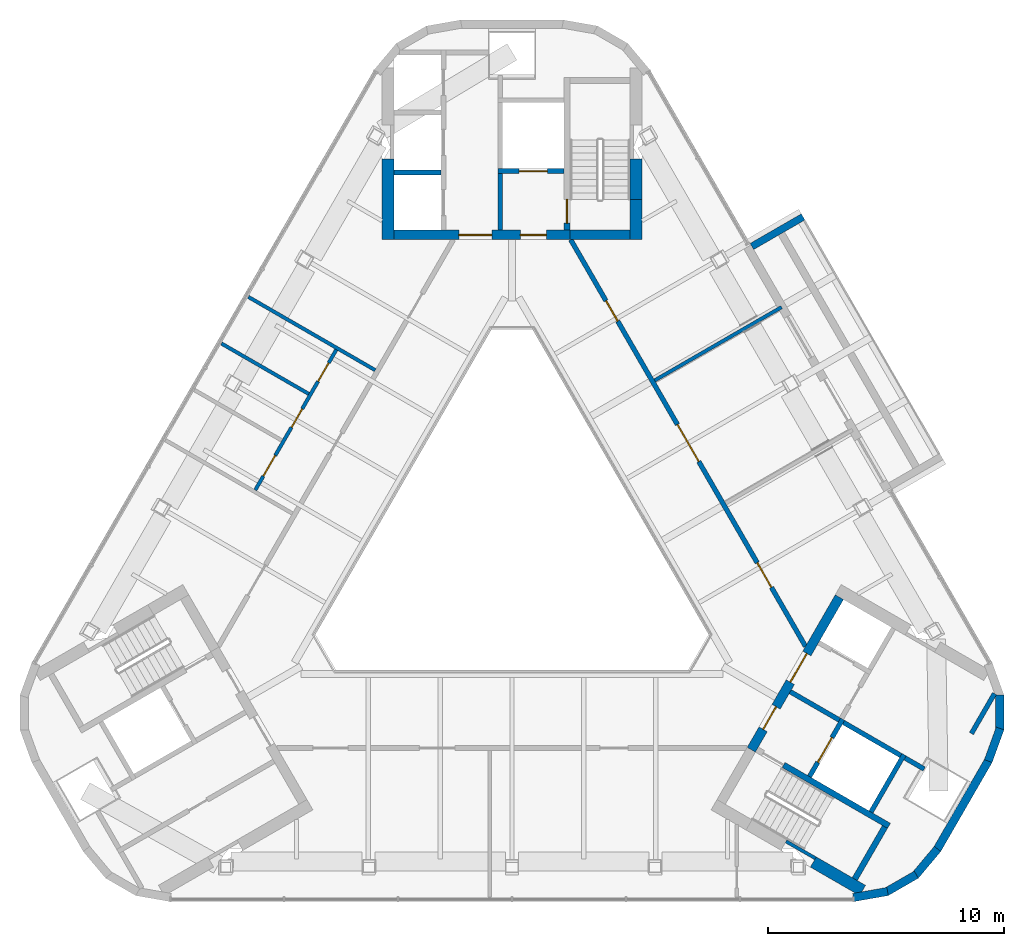
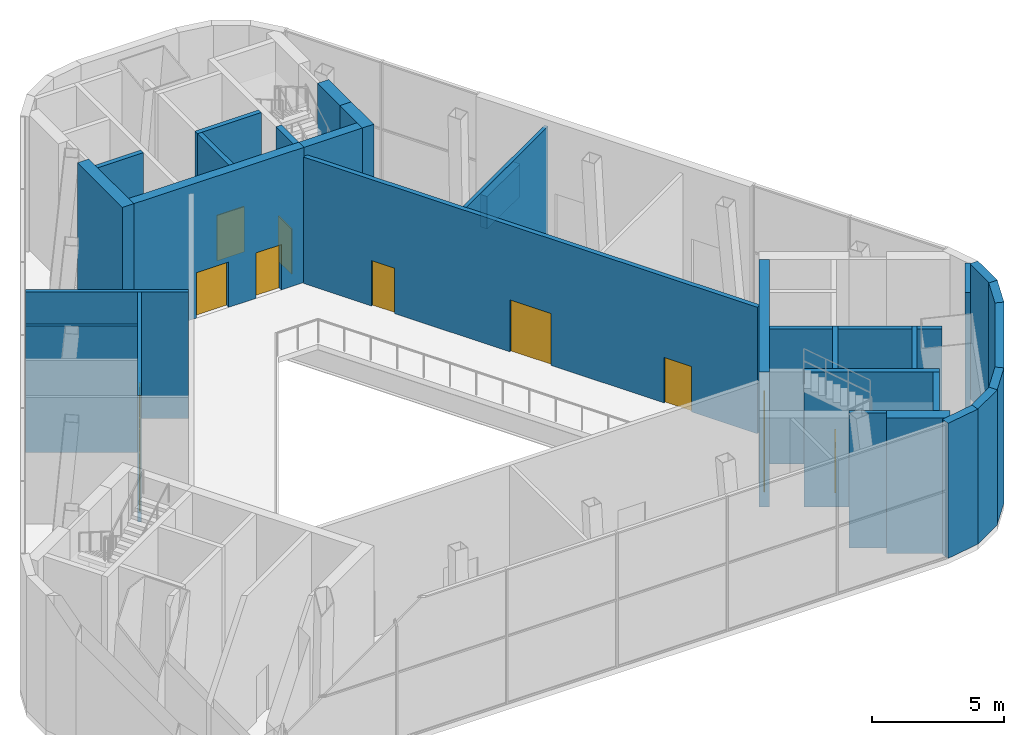
# One storey, part 8 of 12: 32 walls, 13 doors, 13 openings.
"""IFC4 building model written with IfcOpenShell, lengths in metres."""

import ifcopenshell
import ifcopenshell.guid

model = None  # the IFC model being written
_history = None  # IfcOwnerHistory: only IFC2X3 demands one
_inside = {}  # id of a spatial element -> (the spatial element, [elements in it])
_under = {}  # id of a project, library or spatial element -> (it, [spatial elements below it])
_declared = {}  # id of a project -> (the project, [libraries it declares])
_typed = {}  # id of a type object -> (the type object, [elements of that type])
_made_of = {}  # id of a material, layer set ... -> (it, [elements and type objects made of it])


def new_model(schema):
    """Start an empty IFC model of exactly this schema.

    Asked for "IFC4X3", IfcOpenShell would pick the latest addendum, in which some entities
    have other attributes; the version numbers below select the first issue.
    IFC2X3 requires an IfcOwnerHistory on every rooted entity: one is made here for all.
    """
    global model, _history
    if schema == "IFC4X3":
        model = ifcopenshell.file(schema_version=(4, 3, 0, 0))
    else:
        model = ifcopenshell.file(schema=schema)
    _inside.clear()
    _under.clear()
    _declared.clear()
    _typed.clear()
    _made_of.clear()
    _history = None
    if model.schema == "IFC2X3":
        org = make("IfcOrganization", Name="unknown")
        user = make(
            "IfcPersonAndOrganization",
            ThePerson=make("IfcPerson", FamilyName="unknown"),
            TheOrganization=org,
        )
        app = make(
            "IfcApplication",
            ApplicationDeveloper=org,
            Version="unknown",
            ApplicationFullName="unknown",
            ApplicationIdentifier="unknown",
        )
        _history = make(
            "IfcOwnerHistory",
            OwningUser=user,
            OwningApplication=app,
            ChangeAction="ADDED",
            CreationDate=0,
        )
    return model


def make(cls, **values):
    """One entity of the class cls with the attributes given. An attribute that is None is left unset."""
    return model.create_entity(
        cls, **{name: value for name, value in values.items() if value is not None}
    )


def rooted(cls, **values):
    """An entity with a GlobalId (a new one), such as an element, a storey or a relation."""
    return make(cls, GlobalId=ifcopenshell.guid.new(), OwnerHistory=_history, **values)


def si_unit(unit_type, name, prefix=None):
    """IfcSIUnit, for example si_unit("LENGTHUNIT", "METRE", prefix="MILLI")."""
    return make("IfcSIUnit", UnitType=unit_type, Prefix=prefix, Name=name)


def assignment(units):
    """IfcUnitAssignment: the units of a project."""
    return None if units is None else make("IfcUnitAssignment", Units=units)


def point(xyz):
    """IfcCartesianPoint."""
    return None if xyz is None else make("IfcCartesianPoint", Coordinates=xyz)


def direction(xyz):
    """IfcDirection."""
    return None if xyz is None else make("IfcDirection", DirectionRatios=xyz)


def frame(location, z_axis=None, x_axis=None):
    """IfcAxis2Placement3D, a coordinate frame: its origin and axes. An axis left out is left unset."""
    return make(
        "IfcAxis2Placement3D",
        Location=point(location),
        Axis=direction(z_axis),
        RefDirection=direction(x_axis),
    )


def frame_2d(location, x_axis=None):
    """IfcAxis2Placement2D, a coordinate frame in the plane: its origin and x axis."""
    return make(
        "IfcAxis2Placement2D", Location=point(location), RefDirection=direction(x_axis)
    )


def origin():
    """The frame at (0, 0, 0) with its axes left unset."""
    return frame((0.0, 0.0, 0.0))


def place(relative_to, where):
    """IfcLocalPlacement: puts the frame where relative to a parent placement (None: the world)."""
    return make(
        "IfcLocalPlacement", PlacementRelTo=relative_to, RelativePlacement=where
    )


def context(
    kind, dimensions, precision=None, world=None, true_north=None, identifier=None
):
    """IfcGeometricRepresentationContext, for example the 3D "Model" context."""
    return make(
        "IfcGeometricRepresentationContext",
        ContextIdentifier=identifier,
        ContextType=kind,
        CoordinateSpaceDimension=dimensions,
        Precision=precision,
        WorldCoordinateSystem=world,
        TrueNorth=true_north,
    )


def subcontext(parent, identifier, kind, view, scale=None):
    """IfcGeometricRepresentationSubContext, for example "Body" below "Model"."""
    return make(
        "IfcGeometricRepresentationSubContext",
        ContextIdentifier=identifier,
        ContextType=kind,
        ParentContext=parent,
        TargetScale=scale,
        TargetView=view,
    )


def project(units=None, contexts=None):
    """IfcProject with its units and contexts."""
    return rooted(
        "IfcProject",
        Name="project",
        RepresentationContexts=contexts,
        UnitsInContext=assignment(units),
    )


def spatial(cls, under=None, at=None, **own):
    """A site, building, storey or space (cls), placed at a placement, below another one or the project."""
    s = rooted(cls, ObjectPlacement=at, **own)
    if under is not None:
        _under.setdefault(under.id(), (under, []))[1].append(s)
    return s


def profile(cls, at=None, kind="AREA", **sizes):
    """A parametric profile (cls). Its sizes go by their IFC names, for example OverallWidth=200.0."""
    return make(cls, ProfileType=kind, Position=at, **sizes)


def rectangle(**sizes):
    """IfcRectangleProfileDef."""
    return profile("IfcRectangleProfileDef", **sizes)


def extrude(swept, where, along, depth):
    """IfcExtrudedAreaSolid: the profile swept, set in the frame where, extruded along a direction by depth."""
    return make(
        "IfcExtrudedAreaSolid",
        SweptArea=swept,
        Position=where,
        ExtrudedDirection=direction(along),
        Depth=depth,
    )


def shape(context_of_items, identifier, shape_type, items):
    """IfcShapeRepresentation: the items that make up one representation, for example the "Body"."""
    return make(
        "IfcShapeRepresentation",
        ContextOfItems=context_of_items,
        RepresentationIdentifier=identifier,
        RepresentationType=shape_type,
        Items=items,
    )


def material(Name=None, Category=None):
    """IfcMaterial."""
    return make("IfcMaterial", Name=Name, Category=Category)


def layer(
    of_material, thickness, ventilated=None, Name=None, Category=None, Priority=None
):
    """IfcMaterialLayer: one layer of a wall or slab, of a material (None: an air gap)."""
    return make(
        "IfcMaterialLayer",
        Material=of_material,
        LayerThickness=thickness,
        IsVentilated=ventilated,
        Name=Name,
        Category=Category,
        Priority=Priority,
    )


def layer_set(layers, Name=None):
    """IfcMaterialLayerSet."""
    return make("IfcMaterialLayerSet", MaterialLayers=layers, LayerSetName=Name)


def made_of(thing, what):
    """Note that an element or type object is made of a material, layer set ...; save() writes the relation."""
    if what is not None:
        _made_of.setdefault(what.id(), (what, []))[1].append(thing)
    return thing


def type_object(cls, material=None, **own):
    """A type object (cls), such as IfcWallType, which elements share."""
    return made_of(rooted(cls, **own), material)


def element(
    cls,
    number,
    at=None,
    inside=None,
    cuts=None,
    type_object=None,
    material=None,
    context=None,
    identifier="Body",
    shape_type=None,
    held_by="IfcProductDefinitionShape",
    body=None,
    shapes=None,
    **own,
):
    """One element of the class cls, such as IfcWall. Its Tag is "e" and its number.

    at: its placement. inside: the storey or other place that contains it. cuts: it is an
    opening in that element (IfcRelVoidsElement). A single representation is given by context,
    identifier, shape_type and body (its items); several are given by shapes. held_by: the class
    of the entity that holds the representations. save() writes the other relations.
    """
    e = rooted(cls, Tag="e%d" % number, ObjectPlacement=at, **own)
    if body is not None:
        shapes = [shape(context, identifier, shape_type, body)]
    if shapes is not None:
        e.Representation = make(held_by, Representations=shapes)
    if inside is not None:
        _inside.setdefault(inside.id(), (inside, []))[1].append(e)
    if cuts is not None:
        rooted(
            "IfcRelVoidsElement", RelatingBuildingElement=cuts, RelatedOpeningElement=e
        )
    if type_object is not None:
        _typed.setdefault(type_object.id(), (type_object, []))[1].append(e)
    return made_of(e, material)


def fill(opening, filler):
    """IfcRelFillsElement: the door or window that sits in an opening."""
    return rooted(
        "IfcRelFillsElement",
        RelatingOpeningElement=opening,
        RelatedBuildingElement=filler,
    )


def aggregate(whole, parts):
    """IfcRelAggregates: a whole, such as a stair, and the parts it consists of."""
    return rooted("IfcRelAggregates", RelatingObject=whole, RelatedObjects=parts)


def save(model, path):
    """Write the relations noted so far, then the file.

    IfcRelAggregates (storeys below a building ...), IfcRelContainedInSpatialStructure (elements
    in a storey), IfcRelDefinesByType, IfcRelAssociatesMaterial and IfcRelDeclares: one each for
    every whole, place, type object, material and project.
    """
    for whole, parts in _under.values():
        aggregate(whole, parts)
    for where, things in _inside.values():
        rooted(
            "IfcRelContainedInSpatialStructure",
            RelatedElements=things,
            RelatingStructure=where,
        )
    for kind, things in _typed.values():
        rooted("IfcRelDefinesByType", RelatedObjects=things, RelatingType=kind)
    for what, things in _made_of.values():
        rooted("IfcRelAssociatesMaterial", RelatedObjects=things, RelatingMaterial=what)
    for by, libraries in _declared.values():
        rooted("IfcRelDeclares", RelatingContext=by, RelatedDefinitions=libraries)
    model.write(path)


model = new_model("IFC4")

# Units and contexts
model_context = context("Model", 3, precision=1e-05, world=origin(), true_north=direction((0.0, 1.0)))
body_context = subcontext(model_context, "Body", "Model", "MODEL_VIEW")
ifc_project = project(units=[si_unit("LENGTHUNIT", "METRE"), si_unit("AREAUNIT", "SQUARE_METRE"), si_unit("VOLUMEUNIT", "CUBIC_METRE"), si_unit("PLANEANGLEUNIT", "RADIAN"), si_unit("MASSUNIT", "GRAM", prefix="KILO")], contexts=[model_context])

# Site, building, storey
site_placement = place(None, origin())
site = spatial("IfcSite", under=ifc_project, at=site_placement, CompositionType="ELEMENT")
building_placement = place(site_placement, origin())
building = spatial("IfcBuilding", under=site, at=building_placement, Name="Apuvela Tower Hotel", CompositionType="ELEMENT")
storey_placement = place(building_placement, frame((0.0, 0.0, 331.800048828125)))
storey = spatial("IfcBuildingStorey", under=building, at=storey_placement, Name="L83", CompositionType="ELEMENT", Elevation=331.800048828125)

# Walls
ifc_material_1 = material(Name="Concrete C50/60", Category="concrete")
ifc_layer_1 = layer(ifc_material_1, 0.139892578125)
ifc_layer_set_1 = layer_set([ifc_layer_1], Name="COR-WALL-CORE-140")
wall_type_1 = type_object("IfcWallType", Name="COR-WALL-CORE-140", PredefinedType="SHEAR", material=ifc_layer_set_1)
wall_1_placement = place(storey_placement, frame((11.59033203125, -12.546142578125, 0.0), z_axis=(0.0, 0.0, 1.0), x_axis=(0.866077922096, -0.499909024581, 0.0)))
element("IfcWall", 1, at=wall_1_placement, inside=storey, type_object=wall_type_1, Name="Core wall SE", PredefinedType="SHEAR", context=body_context, shape_type="SweptSolid", body=[
    extrude(rectangle(XDim=1.434814453125, YDim=0.139892578125, at=frame_2d((0.71728515625, 0.0))), origin(), (0.0, 0.0, 1.0), 6.25),
])
ifc_layer_2 = layer(ifc_material_1, 0.39990234375)
ifc_layer_set_2 = layer_set([ifc_layer_2], Name="COR-WALL-CORE-400")
wall_type_2 = type_object("IfcWallType", Name="COR-WALL-CORE-400", PredefinedType="SHEAR", material=ifc_layer_set_2)
wall_2_placement = place(storey_placement, frame((5.0, 13.10009765625, 0.0), z_axis=(0.0, 0.0, 1.0), x_axis=(-1.0, 0.0, 0.0)))
element("IfcWall", 2, at=wall_2_placement, inside=storey, type_object=wall_type_2, Name="Core wall N", PredefinedType="SHEAR", context=body_context, shape_type="SweptSolid", body=[
    extrude(rectangle(XDim=2.550048828125, YDim=0.39990234375, at=frame_2d((1.27490234375, 0.0))), origin(), (0.0, 0.0, 1.0), 6.25),
])

# Wall, openings, doors
wall_3_placement = place(storey_placement, frame((2.449951171875, 13.10009765625, 0.0), z_axis=(0.0, 0.0, 1.0), x_axis=(-1.0, 0.0, 0.0)))
wall_3 = element("IfcWall", 3, at=wall_3_placement, inside=storey, type_object=wall_type_2, Name="Core wall N", PredefinedType="SHEAR", context=body_context, shape_type="SweptSolid", body=[
    extrude(rectangle(XDim=7.449951171875, YDim=0.39990234375, at=frame_2d((3.72509765625, 0.0))), origin(), (0.0, 0.0, 1.0), 6.25),
])
opening_1_placement = place(wall_3_placement, frame((1.0, 0.0, 0.0)))
opening_1 = element("IfcOpeningElement", 4, at=opening_1_placement, cuts=wall_3, Name="Opening N-FD", PredefinedType="OPENING", context=body_context, shape_type="SweptSolid", body=[
    extrude(rectangle(XDim=1.10009765625, YDim=2.10009765625, at=frame_2d((0.550048828125, 1.050048828125))), frame((0.0, 0.2099609375, 0.0), z_axis=(0.0, -1.0, 0.0), x_axis=(1.0, 0.0, 0.0)), (0.0, 0.0, 1.0), 0.419921875),
])
opening_2_placement = place(wall_3_placement, frame((3.300048828125, 0.0, 0.0)))
opening_2 = element("IfcOpeningElement", 5, at=opening_2_placement, cuts=wall_3, Name="Opening N-GD", PredefinedType="OPENING", context=body_context, shape_type="SweptSolid", body=[
    extrude(rectangle(XDim=1.39990234375, YDim=2.10009765625, at=frame_2d((0.699951171875, 1.050048828125))), frame((0.0, 0.2099609375, 0.0), z_axis=(0.0, -1.0, 0.0), x_axis=(1.0, 0.0, 0.0)), (0.0, 0.0, 1.0), 0.419921875),
])
ifc_material_2 = material(Name="Steel fire door, powder coated", Category="steel")
door_type_1 = type_object("IfcDoorType", Name="COR-FD-1100", OperationType="NOTDEFINED", PredefinedType="DOOR", material=ifc_material_2)
door_1_placement = place(opening_1_placement, frame((1.10009765625, 0.0, 0.0), z_axis=(0.0, 0.0, 1.0), x_axis=(-1.0, 0.0, 0.0)))
door_1 = element("IfcDoor", 6, at=door_1_placement, inside=storey, type_object=door_type_1, Name="Firefighting lobby door N-FD", OperationType="SINGLE_SWING_LEFT", OverallHeight=2.10009765625, OverallWidth=1.10009765625, PredefinedType="DOOR", context=body_context, shape_type="SweptSolid", body=[
    extrude(rectangle(XDim=1.10009765625, YDim=2.10009765625, at=frame_2d((0.550048828125, 1.050048828125))), frame((0.0, 0.02490234375, 0.0), z_axis=(0.0, -1.0, 0.0), x_axis=(1.0, 0.0, 0.0)), (0.0, 0.0, 1.0), 0.050048828125),
])
fill(opening_1, door_1)
ifc_material_3 = material(Name="Glazed steel fire door", Category="steel")
door_type_2 = type_object("IfcDoorType", Name="COR-GD-1400", OperationType="DOUBLE_DOOR_SINGLE_SWING", PredefinedType="DOOR", material=ifc_material_3)
door_2_placement = place(opening_2_placement, frame((1.39990234375, 0.0, 0.0), z_axis=(0.0, 0.0, 1.0), x_axis=(-1.0, 0.0, 0.0)))
door_2 = element("IfcDoor", 7, at=door_2_placement, inside=storey, type_object=door_type_2, Name="Lift lobby door N-GD", OperationType="DOUBLE_DOOR_SINGLE_SWING", OverallHeight=2.10009765625, OverallWidth=1.39990234375, PredefinedType="DOOR", context=body_context, shape_type="SweptSolid", body=[
    extrude(rectangle(XDim=1.39990234375, YDim=2.10009765625, at=frame_2d((0.699951171875, 1.050048828125))), frame((0.0, 0.02490234375, 0.0), z_axis=(0.0, -1.0, 0.0), x_axis=(1.0, 0.0, 0.0)), (0.0, 0.0, 1.0), 0.050048828125),
])
fill(opening_2, door_2)

wall_4_placement = place(storey_placement, frame((10.119873046875, -8.671875, 0.0), z_axis=(0.0, 0.0, 1.0), x_axis=(0.500008956979, 0.866020232408, 0.0)))
wall_4 = element("IfcWall", 8, at=wall_4_placement, inside=storey, type_object=wall_type_2, Name="Core wall SE", PredefinedType="SHEAR", context=body_context, shape_type="SweptSolid", body=[
    extrude(rectangle(XDim=7.449951171875, YDim=0.39990234375, at=frame_2d((3.72509765625, 0.0))), origin(), (0.0, 0.0, 1.0), 6.25),
])
opening_3_placement = place(wall_4_placement, frame((1.0, 0.0, 0.0)))
opening_3 = element("IfcOpeningElement", 9, at=opening_3_placement, cuts=wall_4, Name="Opening E-FD", PredefinedType="OPENING", context=body_context, shape_type="SweptSolid", body=[
    extrude(rectangle(XDim=1.10009765625, YDim=2.10009765625, at=frame_2d((0.550048828125, 1.050048828125))), frame((0.0, 0.2099609375, 0.0), z_axis=(0.0, -1.0, 0.0), x_axis=(1.0, 0.0, 0.0)), (0.0, 0.0, 1.0), 0.419921875),
])
opening_4_placement = place(wall_4_placement, frame((3.300048828125, 0.0, 0.0)))
opening_4 = element("IfcOpeningElement", 10, at=opening_4_placement, cuts=wall_4, Name="Opening E-GD", PredefinedType="OPENING", context=body_context, shape_type="SweptSolid", body=[
    extrude(rectangle(XDim=1.39990234375, YDim=2.10009765625, at=frame_2d((0.699951171875, 1.050048828125))), frame((0.0, 0.2099609375, 0.0), z_axis=(0.0, -1.0, 0.0), x_axis=(1.0, 0.0, 0.0)), (0.0, 0.0, 1.0), 0.419921875),
])
door_3_placement = place(opening_3_placement, frame((1.10009765625, 0.0, 0.0), z_axis=(0.0, 0.0, 1.0), x_axis=(-1.0, 0.0, 0.0)))
door_3 = element("IfcDoor", 11, at=door_3_placement, inside=storey, type_object=door_type_1, Name="Firefighting lobby door E-FD", OperationType="SINGLE_SWING_LEFT", OverallHeight=2.10009765625, OverallWidth=1.10009765625, PredefinedType="DOOR", context=body_context, shape_type="SweptSolid", body=[
    extrude(rectangle(XDim=1.10009765625, YDim=2.10009765625, at=frame_2d((0.550048828125, 1.050048828125))), frame((0.0, 0.02490234375, 0.0), z_axis=(0.0, -1.0, 0.0), x_axis=(1.0, 0.0, 0.0)), (0.0, 0.0, 1.0), 0.050048828125),
])
fill(opening_3, door_3)
door_4_placement = place(opening_4_placement, frame((1.39990234375, 0.0, 0.0), z_axis=(0.0, 0.0, 1.0), x_axis=(-1.0, 0.0, 0.0)))
door_4 = element("IfcDoor", 12, at=door_4_placement, inside=storey, type_object=door_type_2, Name="Lift lobby door E-GD", OperationType="DOUBLE_DOOR_SINGLE_SWING", OverallHeight=2.10009765625, OverallWidth=1.39990234375, PredefinedType="DOOR", context=body_context, shape_type="SweptSolid", body=[
    extrude(rectangle(XDim=1.39990234375, YDim=2.10009765625, at=frame_2d((0.699951171875, 1.050048828125))), frame((0.0, 0.02490234375, 0.0), z_axis=(0.0, -1.0, 0.0), x_axis=(1.0, 0.0, 0.0)), (0.0, 0.0, 1.0), 0.050048828125),
])
fill(opening_4, door_4)

# Walls
ifc_layer_3 = layer(ifc_material_1, 0.5)
ifc_layer_set_3 = layer_set([ifc_layer_3], Name="COR-WALL-CORE-500")
wall_type_3 = type_object("IfcWallType", Name="COR-WALL-CORE-500", PredefinedType="SHEAR", material=ifc_layer_set_3)
wall_5_placement = place(storey_placement, frame((-5.25, 12.89990234375, 0.0), z_axis=(0.0, 0.0, 1.0), x_axis=(0.0, 1.0, 0.0)))
element("IfcWall", 13, at=wall_5_placement, inside=storey, type_object=wall_type_3, Name="Core wall N", PredefinedType="SHEAR", context=body_context, shape_type="SweptSolid", body=[
    extrude(rectangle(XDim=3.410888671875, YDim=0.5, at=frame_2d((1.70556640625, 0.0))), origin(), (0.0, 0.0, 1.0), 6.25),
])
wall_6_placement = place(storey_placement, frame((5.25, 12.89990234375, 0.0), z_axis=(0.0, 0.0, 1.0), x_axis=(0.0, 1.0, 0.0)))
element("IfcWall", 14, at=wall_6_placement, inside=storey, type_object=wall_type_3, Name="Core wall N", PredefinedType="SHEAR", context=body_context, shape_type="SweptSolid", body=[
    extrude(rectangle(XDim=1.7060546875, YDim=0.5, at=frame_2d((0.85302734375, 0.0))), origin(), (0.0, 0.0, 1.0), 6.25),
])
wall_7_placement = place(storey_placement, frame((5.25, 14.60595703125, 0.0), z_axis=(0.0, 0.0, 1.0), x_axis=(0.0, 1.0, 0.0)))
element("IfcWall", 15, at=wall_7_placement, inside=storey, type_object=wall_type_3, Name="Core wall N", PredefinedType="SHEAR", context=body_context, shape_type="SweptSolid", body=[
    extrude(rectangle(XDim=1.704833984375, YDim=0.5, at=frame_2d((0.8525390625, 0.0))), origin(), (0.0, 0.0, 1.0), 6.25),
])
wall_8_placement = place(storey_placement, frame((12.742919921875, -13.41943359375, 0.0), z_axis=(0.0, 0.0, 1.0), x_axis=(0.866055480043, -0.499947902773, 0.0)))
element("IfcWall", 16, at=wall_8_placement, inside=storey, type_object=wall_type_3, Name="Core wall SE", PredefinedType="SHEAR", context=body_context, shape_type="SweptSolid", body=[
    extrude(rectangle(XDim=2.406005859375, YDim=0.5, at=frame_2d((1.203125, 0.0))), origin(), (0.0, 0.0, 1.0), 6.25),
])

# Wall, opening, door
ifc_layer_4 = layer(ifc_material_1, 0.199951171875)
ifc_layer_set_4 = layer_set([ifc_layer_4], Name="COR-WALL-SHAFT-200")
wall_type_4 = type_object("IfcWallType", Name="COR-WALL-SHAFT-200", PredefinedType="SHEAR", material=ifc_layer_set_4)
wall_9_placement = place(storey_placement, frame((2.199951171875, 15.800048828125, 0.0), z_axis=(0.0, 0.0, 1.0), x_axis=(-1.0, 0.0, 0.0)))
wall_9 = element("IfcWall", 17, at=wall_9_placement, inside=storey, type_object=wall_type_4, Name="Shaft wall N", PredefinedType="SHEAR", context=body_context, shape_type="SweptSolid", body=[
    extrude(rectangle(XDim=2.800048828125, YDim=0.199951171875, at=frame_2d((1.39990234375, 0.0))), origin(), (0.0, 0.0, 1.0), 6.25),
])
opening_5_placement = place(wall_9_placement, frame((0.699951171875, 0.0, 0.0)))
opening_5 = element("IfcOpeningElement", 18, at=opening_5_placement, cuts=wall_9, Name="Opening N-LD-FS1", PredefinedType="OPENING", context=body_context, shape_type="SweptSolid", body=[
    extrude(rectangle(XDim=1.199951171875, YDim=2.10009765625, at=frame_2d((0.60009765625, 1.050048828125))), frame((0.0, 0.10986328125, 0.0), z_axis=(0.0, -1.0, 0.0), x_axis=(1.0, 0.0, 0.0)), (0.0, 0.0, 1.0), 0.219970703125),
])
ifc_material_4 = material(Name="Stainless steel lift landing door", Category="steel")
door_type_3 = type_object("IfcDoorType", Name="COR-LD-1200", OperationType="DOUBLE_DOOR_SLIDING", PredefinedType="DOOR", material=ifc_material_4)
door_5_placement = place(opening_5_placement, origin())
door_5 = element("IfcDoor", 19, at=door_5_placement, inside=storey, type_object=door_type_3, Name="Lift landing door N-LD-FS1", OperationType="DOUBLE_DOOR_SLIDING", OverallHeight=2.10009765625, OverallWidth=1.199951171875, PredefinedType="DOOR", context=body_context, shape_type="SweptSolid", body=[
    extrude(rectangle(XDim=1.199951171875, YDim=2.10009765625, at=frame_2d((0.60009765625, 1.050048828125))), frame((0.0, 0.02490234375, 0.0), z_axis=(0.0, -1.0, 0.0), x_axis=(1.0, 0.0, 0.0)), (0.0, 0.0, 1.0), 0.050048828125),
])
fill(opening_5, door_5)

# Walls
wall_10_placement = place(storey_placement, frame((-0.5, 13.300048828125, 0.0), z_axis=(0.0, 0.0, 1.0), x_axis=(0.0, 1.0, 0.0)))
element("IfcWall", 20, at=wall_10_placement, inside=storey, type_object=wall_type_4, Name="Shaft wall N", PredefinedType="SHEAR", context=body_context, shape_type="SweptSolid", body=[
    extrude(rectangle(XDim=2.39990234375, YDim=0.199951171875, at=frame_2d((1.199951171875, 0.0))), origin(), (0.0, 0.0, 1.0), 6.25),
])
wall_11_placement = place(storey_placement, frame((-3.0, 15.739990234375, 0.0), z_axis=(0.0, 0.0, 1.0), x_axis=(-1.0, 0.0, 0.0)))
element("IfcWall", 21, at=wall_11_placement, inside=storey, type_object=wall_type_4, Name="Shaft wall N", PredefinedType="SHEAR", context=body_context, shape_type="SweptSolid", body=[
    extrude(rectangle(XDim=2.0, YDim=0.199951171875, at=frame_2d((1.0, 0.0))), origin(), (0.0, 0.0, 1.0), 6.25),
])
wall_12_placement = place(storey_placement, frame((15.181396484375, -11.305419921875, 0.0), z_axis=(0.0, 0.0, 1.0), x_axis=(0.49994636267, 0.866056369097, 0.0)))
element("IfcWall", 22, at=wall_12_placement, inside=storey, type_object=wall_type_4, Name="Shaft wall SE", PredefinedType="SHEAR", context=body_context, shape_type="SweptSolid", body=[
    extrude(rectangle(XDim=2.800048828125, YDim=0.199951171875, at=frame_2d((1.39990234375, 0.0))), origin(), (0.0, 0.0, 1.0), 6.25),
])

# Wall, opening, door
wall_13_placement = place(storey_placement, frame((12.583251953125, -9.805419921875, 0.0), z_axis=(0.0, 0.0, 1.0), x_axis=(0.49994636267, 0.866056369097, 0.0)))
wall_13 = element("IfcWall", 23, at=wall_13_placement, inside=storey, type_object=wall_type_4, Name="Shaft wall SE", PredefinedType="SHEAR", context=body_context, shape_type="SweptSolid", body=[
    extrude(rectangle(XDim=2.800048828125, YDim=0.199951171875, at=frame_2d((1.39990234375, 0.0))), origin(), (0.0, 0.0, 1.0), 6.25),
])
opening_6_placement = place(wall_13_placement, frame((0.699951171875, 0.0, 0.0)))
opening_6 = element("IfcOpeningElement", 24, at=opening_6_placement, cuts=wall_13, Name="Opening E-LD-FS3", PredefinedType="OPENING", context=body_context, shape_type="SweptSolid", body=[
    extrude(rectangle(XDim=1.199951171875, YDim=2.10009765625, at=frame_2d((0.60009765625, 1.050048828125))), frame((0.0, 0.10986328125, 0.0), z_axis=(0.0, -1.0, 0.0), x_axis=(1.0, 0.0, 0.0)), (0.0, 0.0, 1.0), 0.219970703125),
])
door_6_placement = place(opening_6_placement, origin())
door_6 = element("IfcDoor", 25, at=door_6_placement, inside=storey, type_object=door_type_3, Name="Lift landing door E-LD-FS3", OperationType="DOUBLE_DOOR_SLIDING", OverallHeight=2.10009765625, OverallWidth=1.199951171875, PredefinedType="DOOR", context=body_context, shape_type="SweptSolid", body=[
    extrude(rectangle(XDim=1.199951171875, YDim=2.10009765625, at=frame_2d((0.60009765625, 1.050048828125))), frame((0.0, 0.02490234375, 0.0), z_axis=(0.0, -1.0, 0.0), x_axis=(1.0, 0.0, 0.0)), (0.0, 0.0, 1.0), 0.050048828125),
])
fill(opening_6, door_6)

# Walls
wall_14_placement = place(storey_placement, frame((11.76806640625, -6.217041015625, 0.0), z_axis=(0.0, 0.0, 1.0), x_axis=(0.866050077142, -0.499957262057, 0.0)))
element("IfcWall", 26, at=wall_14_placement, inside=storey, type_object=wall_type_4, Name="Shaft wall SE", PredefinedType="SHEAR", context=body_context, shape_type="SweptSolid", body=[
    extrude(rectangle(XDim=2.400146484375, YDim=0.199951171875, at=frame_2d((1.2001953125, 0.0))), origin(), (0.0, 0.0, 1.0), 6.25),
])
wall_15_placement = place(storey_placement, frame((14.019775390625, -7.51708984375, 0.0), z_axis=(0.0, 0.0, 1.0), x_axis=(0.866034573852, -0.49998411664, 0.0)))
element("IfcWall", 27, at=wall_15_placement, inside=storey, type_object=wall_type_4, Name="Shaft wall SE", PredefinedType="SHEAR", context=body_context, shape_type="SweptSolid", body=[
    extrude(rectangle(XDim=2.7998046875, YDim=0.199951171875, at=frame_2d((1.39990234375, 0.0))), origin(), (0.0, 0.0, 1.0), 6.25),
])
wall_16_placement = place(storey_placement, frame((16.617919921875, -9.01708984375, 0.0), z_axis=(0.0, 0.0, 1.0), x_axis=(0.8660774803, -0.499909789979, 0.0)))
element("IfcWall", 28, at=wall_16_placement, inside=storey, type_object=wall_type_4, Name="Shaft wall SE", PredefinedType="SHEAR", context=body_context, shape_type="SweptSolid", body=[
    extrude(rectangle(XDim=0.940185546875, YDim=0.199951171875, at=frame_2d((0.47021484375, 0.0))), origin(), (0.0, 0.0, 1.0), 6.25),
])
wall_17_placement = place(storey_placement, frame((19.4306640625, -7.985107421875, 0.0), z_axis=(0.0, 0.0, 1.0), x_axis=(0.49995005938, 0.866054235095, 0.0)))
element("IfcWall", 29, at=wall_17_placement, inside=storey, type_object=wall_type_4, Name="Shaft wall SE", PredefinedType="SHEAR", context=body_context, shape_type="SweptSolid", body=[
    extrude(rectangle(XDim=1.949951171875, YDim=0.199951171875, at=frame_2d((0.97509765625, 0.0))), origin(), (0.0, 0.0, 1.0), 6.25),
])

# Wall, opening, door
ifc_layer_5 = layer(ifc_material_1, 0.25)
ifc_layer_set_5 = layer_set([ifc_layer_5], Name="COR-WALL-STAIR-250")
wall_type_5 = type_object("IfcWallType", Name="COR-WALL-STAIR-250", PredefinedType="SHEAR", material=ifc_layer_set_5)
wall_18_placement = place(storey_placement, frame((2.324951171875, 13.300048828125, 0.0), z_axis=(0.0, 0.0, 1.0), x_axis=(0.0, 1.0, 0.0)))
wall_18 = element("IfcWall", 30, at=wall_18_placement, inside=storey, type_object=wall_type_5, Name="Stair wall N", PredefinedType="SHEAR", context=body_context, shape_type="SweptSolid", body=[
    extrude(rectangle(XDim=1.305908203125, YDim=0.25, at=frame_2d((0.65283203125, 0.0))), origin(), (0.0, 0.0, 1.0), 6.25),
])
opening_7_placement = place(wall_18_placement, frame((0.300048828125, 0.0, 0.0)))
opening_7 = element("IfcOpeningElement", 31, at=opening_7_placement, cuts=wall_18, Name="Opening N-SD", PredefinedType="OPENING", context=body_context, shape_type="SweptSolid", body=[
    extrude(rectangle(XDim=1.0, YDim=2.10009765625, at=frame_2d((0.5, 1.050048828125))), frame((0.0, 0.135009765625, 0.0), z_axis=(0.0, -1.0, 0.0), x_axis=(1.0, 0.0, 0.0)), (0.0, 0.0, 1.0), 0.27001953125),
])
door_type_4 = type_object("IfcDoorType", Name="COR-SD-1000", OperationType="NOTDEFINED", PredefinedType="DOOR", material=ifc_material_2)
door_7_placement = place(opening_7_placement, frame((1.0, 0.0, 0.0), z_axis=(0.0, 0.0, 1.0), x_axis=(-1.0, 0.0, 0.0)))
door_7 = element("IfcDoor", 32, at=door_7_placement, inside=storey, type_object=door_type_4, Name="Stair door N-SD", OperationType="SINGLE_SWING_LEFT", OverallHeight=2.10009765625, OverallWidth=1.0, PredefinedType="DOOR", context=body_context, shape_type="SweptSolid", body=[
    extrude(rectangle(XDim=1.0, YDim=2.10009765625, at=frame_2d((0.5, 1.050048828125))), frame((0.0, 0.02490234375, 0.0), z_axis=(0.0, -1.0, 0.0), x_axis=(1.0, 0.0, 0.0)), (0.0, 0.0, 1.0), 0.050048828125),
])
fill(opening_7, door_7)

# Walls
wall_19_placement = place(storey_placement, frame((14.49560546875, -14.142578125, 0.0), z_axis=(0.0, 0.0, 1.0), x_axis=(0.500062241894, 0.865989465428, 0.0)))
element("IfcWall", 33, at=wall_19_placement, inside=storey, type_object=wall_type_5, Name="Stair wall SE", PredefinedType="SHEAR", context=body_context, shape_type="SweptSolid", body=[
    extrude(rectangle(XDim=2.550048828125, YDim=0.25, at=frame_2d((1.27490234375, 0.0))), origin(), (0.0, 0.0, 1.0), 6.25),
])
wall_20_placement = place(storey_placement, frame((11.48681640625, -9.31640625, 0.0), z_axis=(0.0, 0.0, 1.0), x_axis=(0.866011695431, -0.500023742813, 0.0)))
element("IfcWall", 34, at=wall_20_placement, inside=storey, type_object=wall_type_5, Name="Stair wall SE", PredefinedType="SHEAR", context=body_context, shape_type="SweptSolid", body=[
    extrude(rectangle(XDim=5.143798828125, YDim=0.25, at=frame_2d((2.57177734375, 0.0))), origin(), (0.0, 0.0, 1.0), 6.25),
])
ifc_material_5 = material(Name="Concrete C40/50, waterproof", Category="concrete")
ifc_layer_6 = layer(ifc_material_5, 0.300048828125)
ifc_layer_set_6 = layer_set([ifc_layer_6], Name="ENV-POOL-WALL-300")
wall_type_6 = type_object("IfcWallType", Name="ENV-POOL-WALL-300", PredefinedType="SOLIDWALL", material=ifc_layer_set_6)
wall_21_placement = place(storey_placement, frame((10.146240234375, 12.61279296875, 0.0), z_axis=(0.0, 0.0, 1.0), x_axis=(0.866022959057, 0.500004234368, 0.0)))
element("IfcWall", 35, at=wall_21_placement, inside=storey, type_object=wall_type_6, Name="Sky pool wall east", PredefinedType="SOLIDWALL", context=body_context, shape_type="SweptSolid", body=[
    extrude(rectangle(XDim=2.5, YDim=0.300048828125, at=frame_2d((1.25, 0.0))), origin(), (0.0, 0.0, 1.0), 1.5),
])
ifc_material_6 = material(Name="Concrete C40/50, dark pigmented precast panel", Category="concrete")
ifc_layer_7 = layer(ifc_material_6, 0.35009765625)
ifc_layer_set_7 = layer_set([ifc_layer_7], Name="ENV-WALL-350")
wall_type_7 = type_object("IfcWallType", Name="ENV-WALL-350", PredefinedType="SOLIDWALL", material=ifc_layer_set_7)
wall_22_placement = place(storey_placement, frame((14.43701171875, -14.9208984375, 0.0), z_axis=(0.0, 0.0, 1.0), x_axis=(0.984823698616, 0.173557721363, 0.0)))
element("IfcWall", 36, at=wall_22_placement, inside=storey, type_object=wall_type_7, Name="External wall L83-16", PredefinedType="SOLIDWALL", context=body_context, shape_type="SweptSolid", body=[
    extrude(rectangle(XDim=1.468505859375, YDim=0.35009765625, at=frame_2d((0.734375, 0.0))), origin(), (0.0, 0.0, 1.0), 6.25),
])
for number, where, z_axis, x_axis, name in (
    (37, (15.826171875, -14.686767578125, 0.0), (0.0, 0.0, 1.0), (0.86602503688, 0.500000635496, 0.0), "External wall L83-17"),
    (38, (17.051513671875, -13.991455078125, 0.0), (0.0, 0.0, 1.0), (0.642829448094, 0.766009334579, 0.0), "External wall L83-18"),
):
    element("IfcWall", number, at=place(storey_placement, frame(where, z_axis=z_axis, x_axis=x_axis)), inside=storey, type_object=wall_type_7, Name=name, PredefinedType="SOLIDWALL", context=body_context, shape_type="SweptSolid", body=[
        extrude(rectangle(XDim=1.46875, YDim=0.35009765625, at=frame_2d((0.734375, 0.0))), origin(), (0.0, 0.0, 1.0), 6.25),
    ])
wall_23_placement = place(storey_placement, frame((17.97802734375, -12.891357421875, 0.0), z_axis=(0.0, 0.0, 1.0), x_axis=(0.500013916395, 0.866017369001, 0.0)))
element("IfcWall", 39, at=wall_23_placement, inside=storey, type_object=wall_type_7, Name="External wall L83-19", PredefinedType="SOLIDWALL", context=body_context, shape_type="SweptSolid", body=[
    extrude(rectangle(XDim=4.3505859375, YDim=0.35009765625, at=frame_2d((2.17529296875, 0.0))), origin(), (0.0, 0.0, 1.0), 6.25),
])
for number, where, z_axis, x_axis, name in (
    (40, (20.140380859375, -9.1513671875, 0.0), (0.0, 0.0, 1.0), (0.341943264121, 0.939720598967, 0.0), "External wall L83-20"),
    (41, (20.632080078125, -7.831298828125, 0.0), (0.0, 0.0, 1.0), (0.0, 1.0, 0.0), "External wall L83-21"),
):
    element("IfcWall", number, at=place(storey_placement, frame(where, z_axis=z_axis, x_axis=x_axis)), inside=storey, type_object=wall_type_7, Name=name, PredefinedType="SOLIDWALL", context=body_context, shape_type="SweptSolid", body=[
        extrude(rectangle(XDim=1.46875, YDim=0.35009765625, at=frame_2d((0.734375, 0.0))), origin(), (0.0, 0.0, 1.0), 6.25),
    ])

# Wall, openings, doors
ifc_material_7 = material(Name="Fire-rated gypsum board partition on steel stud", Category="steel")
ifc_layer_8 = layer(ifc_material_7, 0.199951171875)
ifc_layer_set_8 = layer_set([ifc_layer_8], Name="SPC-WALL-CORRIDOR")
wall_type_8 = type_object("IfcWallType", Name="SPC-WALL-CORRIDOR", PredefinedType="PARTITIONING", material=ifc_layer_set_8)
wall_24_placement = place(storey_placement, frame((12.4130859375, -4.300048828125, 0.0), z_axis=(0.0, 0.0, 1.0), x_axis=(-0.50000478328, 0.866022642139, 0.0)))
wall_24 = element("IfcWall", 42, at=wall_24_placement, inside=storey, type_object=wall_type_8, Name="Wall L83-NE-CW", PredefinedType="PARTITIONING", context=body_context, shape_type="SweptSolid", body=[
    extrude(rectangle(XDim=19.861083984375, YDim=0.199951171875, at=frame_2d((9.9306640625, 0.0))), origin(), (0.0, 0.0, 1.0), 5.849853515625),
])
opening_8_placement = place(wall_24_placement, frame((2.883544921875, 0.0, 0.0)))
opening_8 = element("IfcOpeningElement", 43, at=opening_8_placement, cuts=wall_24, Name="Opening L83-S01", PredefinedType="OPENING", context=body_context, shape_type="SweptSolid", body=[
    extrude(rectangle(XDim=1.199951171875, YDim=2.10009765625, at=frame_2d((0.60009765625, 1.050048828125))), frame((0.0, 0.10986328125, 0.0), z_axis=(0.0, -1.0, 0.0), x_axis=(1.0, 0.0, 0.0)), (0.0, 0.0, 1.0), 0.219970703125),
])
opening_9_placement = place(wall_24_placement, frame((9.030517578125, 0.0, 0.0)))
opening_9 = element("IfcOpeningElement", 44, at=opening_9_placement, cuts=wall_24, Name="Opening L83-S02", PredefinedType="OPENING", context=body_context, shape_type="SweptSolid", body=[
    extrude(rectangle(XDim=1.800048828125, YDim=2.39990234375, at=frame_2d((0.89990234375, 1.199951171875))), frame((0.0, 0.10986328125, 0.0), z_axis=(0.0, -1.0, 0.0), x_axis=(1.0, 0.0, 0.0)), (0.0, 0.0, 1.0), 0.219970703125),
])
opening_10_placement = place(wall_24_placement, frame((15.87744140625, 0.0, 0.0)))
opening_10 = element("IfcOpeningElement", 45, at=opening_10_placement, cuts=wall_24, Name="Opening L83-S03", PredefinedType="OPENING", context=body_context, shape_type="SweptSolid", body=[
    extrude(rectangle(XDim=1.0, YDim=2.10009765625, at=frame_2d((0.5, 1.050048828125))), frame((0.0, 0.10986328125, 0.0), z_axis=(0.0, -1.0, 0.0), x_axis=(1.0, 0.0, 0.0)), (0.0, 0.0, 1.0), 0.219970703125),
])
ifc_material_8 = material(Name="Fire-rated hardwood veneer door leaf", Category="wood")
door_type_5 = type_object("IfcDoorType", Name="SPC-DOOR-1000-FD", OperationType="NOTDEFINED", PredefinedType="DOOR", material=ifc_material_8)
door_8_placement = place(opening_10_placement, origin())
door_8 = element("IfcDoor", 46, at=door_8_placement, inside=storey, type_object=door_type_5, Name="L83-S03", OperationType="SINGLE_SWING_RIGHT", OverallHeight=2.10009765625, OverallWidth=1.0, PredefinedType="DOOR", context=body_context, shape_type="SweptSolid", body=[
    extrude(rectangle(XDim=1.0, YDim=2.10009765625, at=frame_2d((0.5, 1.050048828125))), frame((0.0, 0.02490234375, 0.0), z_axis=(0.0, -1.0, 0.0), x_axis=(1.0, 0.0, 0.0)), (0.0, 0.0, 1.0), 0.050048828125),
])
fill(opening_10, door_8)
door_type_6 = type_object("IfcDoorType", Name="SPC-DOOR-1200-FD", OperationType="NOTDEFINED", PredefinedType="DOOR", material=ifc_material_8)
door_9_placement = place(opening_8_placement, origin())
door_9 = element("IfcDoor", 47, at=door_9_placement, inside=storey, type_object=door_type_6, Name="L83-S01", OperationType="SINGLE_SWING_LEFT", OverallHeight=2.10009765625, OverallWidth=1.199951171875, PredefinedType="DOOR", context=body_context, shape_type="SweptSolid", body=[
    extrude(rectangle(XDim=1.199951171875, YDim=2.10009765625, at=frame_2d((0.60009765625, 1.050048828125))), frame((0.0, 0.02490234375, 0.0), z_axis=(0.0, -1.0, 0.0), x_axis=(1.0, 0.0, 0.0)), (0.0, 0.0, 1.0), 0.050048828125),
])
fill(opening_8, door_9)
door_type_7 = type_object("IfcDoorType", Name="SPC-DOOR-1800-FD", OperationType="NOTDEFINED", PredefinedType="DOOR", material=ifc_material_8)
door_10_placement = place(opening_9_placement, origin())
door_10 = element("IfcDoor", 48, at=door_10_placement, inside=storey, type_object=door_type_7, Name="L83-S02", OperationType="DOUBLE_DOOR_SINGLE_SWING", OverallHeight=2.39990234375, OverallWidth=1.800048828125, PredefinedType="DOOR", context=body_context, shape_type="SweptSolid", body=[
    extrude(rectangle(XDim=1.800048828125, YDim=2.39990234375, at=frame_2d((0.89990234375, 1.199951171875))), frame((0.0, 0.02490234375, 0.0), z_axis=(0.0, -1.0, 0.0), x_axis=(1.0, 0.0, 0.0)), (0.0, 0.0, 1.0), 0.050048828125),
])
fill(opening_9, door_10)

# Wall
ifc_material_9 = material(Name="Gypsum board partition on steel stud", Category="steel")
ifc_layer_9 = layer(ifc_material_9, 0.14990234375)
ifc_layer_set_9 = layer_set([ifc_layer_9], Name="SPC-WALL-PARTITION")
wall_type_9 = type_object("IfcWallType", Name="SPC-WALL-PARTITION", PredefinedType="PARTITIONING", material=ifc_layer_set_9)
wall_25_placement = place(storey_placement, frame((11.39794921875, 10.044677734375, 0.0), z_axis=(0.0, 0.0, 1.0), x_axis=(-0.866022127522, -0.500005674609, 0.0)))
element("IfcWall", 49, at=wall_25_placement, inside=storey, type_object=wall_type_9, Name="Wall L83-NE-P02", PredefinedType="PARTITIONING", context=body_context, shape_type="SweptSolid", body=[
    extrude(rectangle(XDim=6.193359375, YDim=0.14990234375, at=frame_2d((3.0966796875, 0.0))), origin(), (0.0, 0.0, 1.0), 5.849853515625),
])

# Wall, openings, doors
wall_26_placement = place(storey_placement, frame((-7.430908203125, 8.2451171875, 0.0), z_axis=(0.0, 0.0, 1.0), x_axis=(-0.500014519185, -0.866017020967, 0.0)))
wall_26 = element("IfcWall", 50, at=wall_26_placement, inside=storey, type_object=wall_type_9, Name="Wall L83-NW-P01", PredefinedType="PARTITIONING", context=body_context, shape_type="SweptSolid", body=[
    extrude(rectangle(XDim=6.849853515625, YDim=0.14990234375, at=frame_2d((3.4248046875, 0.0))), origin(), (0.0, 0.0, 1.0), 5.849853515625),
])
opening_11_placement = place(wall_26_placement, frame((5.1669921875, 0.0, 0.0)))
opening_11 = element("IfcOpeningElement", 51, at=opening_11_placement, cuts=wall_26, Name="Opening L83-S10", PredefinedType="OPENING", context=body_context, shape_type="SweptSolid", body=[
    extrude(rectangle(XDim=1.0, YDim=2.10009765625, at=frame_2d((0.5, 1.050048828125))), frame((0.0, 0.0849609375, 0.0), z_axis=(0.0, -1.0, 0.0), x_axis=(1.0, 0.0, 0.0)), (0.0, 0.0, 1.0), 0.169921875),
])
opening_12_placement = place(wall_26_placement, frame((2.887451171875, 0.0, 0.0)))
opening_12 = element("IfcOpeningElement", 52, at=opening_12_placement, cuts=wall_26, Name="Opening L83-S12", PredefinedType="OPENING", context=body_context, shape_type="SweptSolid", body=[
    extrude(rectangle(XDim=0.89990234375, YDim=2.10009765625, at=frame_2d((0.449951171875, 1.050048828125))), frame((0.0, 0.0849609375, 0.0), z_axis=(0.0, -1.0, 0.0), x_axis=(1.0, 0.0, 0.0)), (0.0, 0.0, 1.0), 0.169921875),
])
opening_13_placement = place(wall_26_placement, frame((0.6455078125, 0.0, 0.0)))
opening_13 = element("IfcOpeningElement", 53, at=opening_13_placement, cuts=wall_26, Name="Opening L83-S13", PredefinedType="OPENING", context=body_context, shape_type="SweptSolid", body=[
    extrude(rectangle(XDim=0.89990234375, YDim=2.10009765625, at=frame_2d((0.449951171875, 1.050048828125))), frame((0.0, 0.0849609375, 0.0), z_axis=(0.0, -1.0, 0.0), x_axis=(1.0, 0.0, 0.0)), (0.0, 0.0, 1.0), 0.169921875),
])
ifc_material_10 = material(Name="Hardwood veneer door leaf", Category="wood")
door_type_8 = type_object("IfcDoorType", Name="SPC-DOOR-1000", OperationType="NOTDEFINED", PredefinedType="DOOR", material=ifc_material_10)
door_11_placement = place(opening_11_placement, frame((1.0, 0.0, 0.0), z_axis=(0.0, 0.0, 1.0), x_axis=(-1.0, 0.0, 0.0)))
door_11 = element("IfcDoor", 54, at=door_11_placement, inside=storey, type_object=door_type_8, Name="L83-S10", OperationType="SINGLE_SWING_LEFT", OverallHeight=2.10009765625, OverallWidth=1.0, PredefinedType="DOOR", context=body_context, shape_type="SweptSolid", body=[
    extrude(rectangle(XDim=1.0, YDim=2.10009765625, at=frame_2d((0.5, 1.050048828125))), frame((0.0, 0.02490234375, 0.0), z_axis=(0.0, -1.0, 0.0), x_axis=(1.0, 0.0, 0.0)), (0.0, 0.0, 1.0), 0.050048828125),
])
fill(opening_11, door_11)
door_type_9 = type_object("IfcDoorType", Name="SPC-DOOR-900", OperationType="NOTDEFINED", PredefinedType="DOOR", material=ifc_material_10)
door_12_placement = place(opening_12_placement, frame((0.89990234375, 0.0, 0.0), z_axis=(0.0, 0.0, 1.0), x_axis=(-1.0, 0.0, 0.0)))
door_12 = element("IfcDoor", 55, at=door_12_placement, inside=storey, type_object=door_type_9, Name="L83-S12", OperationType="SINGLE_SWING_LEFT", OverallHeight=2.10009765625, OverallWidth=0.89990234375, PredefinedType="DOOR", context=body_context, shape_type="SweptSolid", body=[
    extrude(rectangle(XDim=0.89990234375, YDim=2.10009765625, at=frame_2d((0.449951171875, 1.050048828125))), frame((0.0, 0.02490234375, 0.0), z_axis=(0.0, -1.0, 0.0), x_axis=(1.0, 0.0, 0.0)), (0.0, 0.0, 1.0), 0.050048828125),
])
fill(opening_12, door_12)
door_13_placement = place(opening_13_placement, frame((0.89990234375, 0.0, 0.0), z_axis=(0.0, 0.0, 1.0), x_axis=(-1.0, 0.0, 0.0)))
door_13 = element("IfcDoor", 56, at=door_13_placement, inside=storey, type_object=door_type_9, Name="L83-S13", OperationType="SINGLE_SWING_RIGHT", OverallHeight=2.10009765625, OverallWidth=0.89990234375, PredefinedType="DOOR", context=body_context, shape_type="SweptSolid", body=[
    extrude(rectangle(XDim=0.89990234375, YDim=2.10009765625, at=frame_2d((0.449951171875, 1.050048828125))), frame((0.0, 0.02490234375, 0.0), z_axis=(0.0, -1.0, 0.0), x_axis=(1.0, 0.0, 0.0)), (0.0, 0.0, 1.0), 0.050048828125),
])
fill(opening_13, door_13)

# Walls
wall_27_placement = place(storey_placement, frame((-11.14794921875, 10.477783203125, 0.0), z_axis=(0.0, 0.0, 1.0), x_axis=(0.866022127522, -0.500005674609, 0.0)))
element("IfcWall", 57, at=wall_27_placement, inside=storey, type_object=wall_type_9, Name="Wall L83-NW-P02", PredefinedType="PARTITIONING", context=body_context, shape_type="SweptSolid", body=[
    extrude(rectangle(XDim=6.193359375, YDim=0.14990234375, at=frame_2d((3.0966796875, 0.0))), origin(), (0.0, 0.0, 1.0), 5.849853515625),
])
wall_28_placement = place(storey_placement, frame((-12.285400390625, 8.507568359375, 0.0), z_axis=(0.0, 0.0, 1.0), x_axis=(0.866023350811, -0.500003555838, 0.0)))
element("IfcWall", 58, at=wall_28_placement, inside=storey, type_object=wall_type_9, Name="Wall L83-NW-P03", PredefinedType="PARTITIONING", context=body_context, shape_type="SweptSolid", body=[
    extrude(rectangle(XDim=4.26025390625, YDim=0.14990234375, at=frame_2d((2.130126953125, 0.0))), origin(), (0.0, 0.0, 1.0), 5.849853515625),
])

save(model, "model.ifc")
